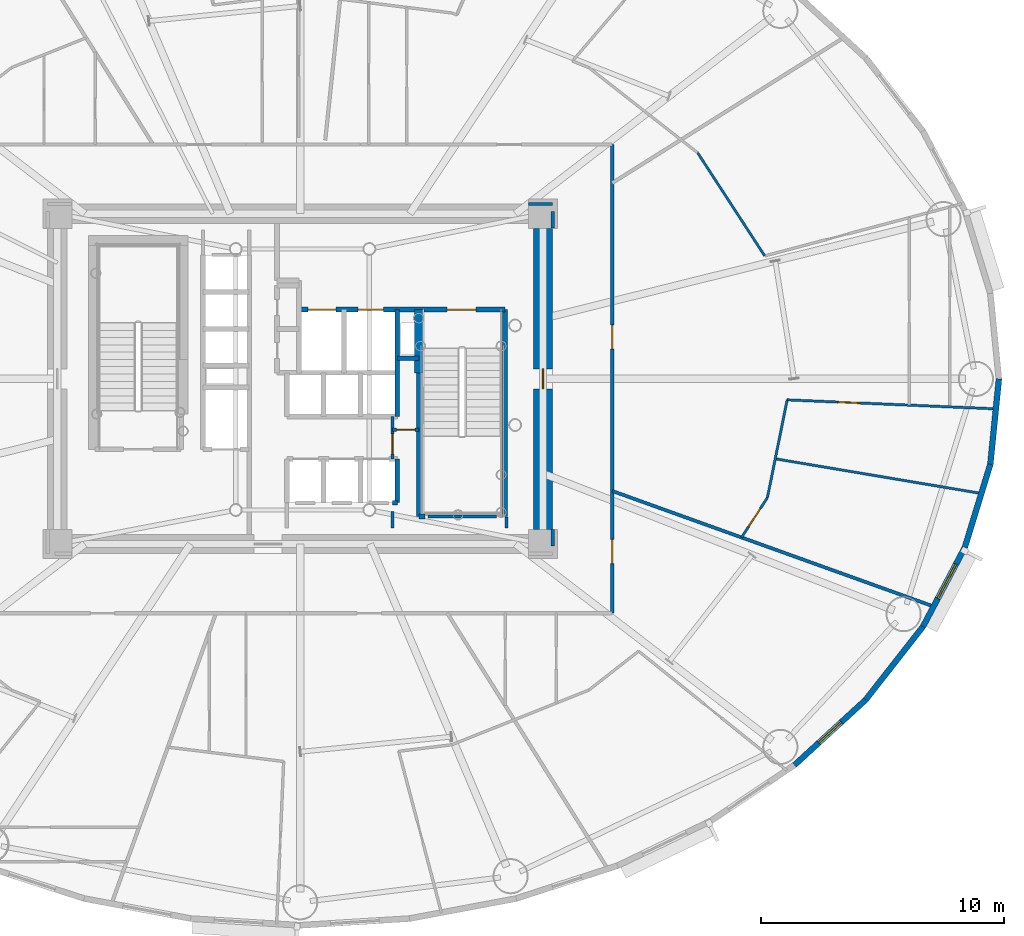
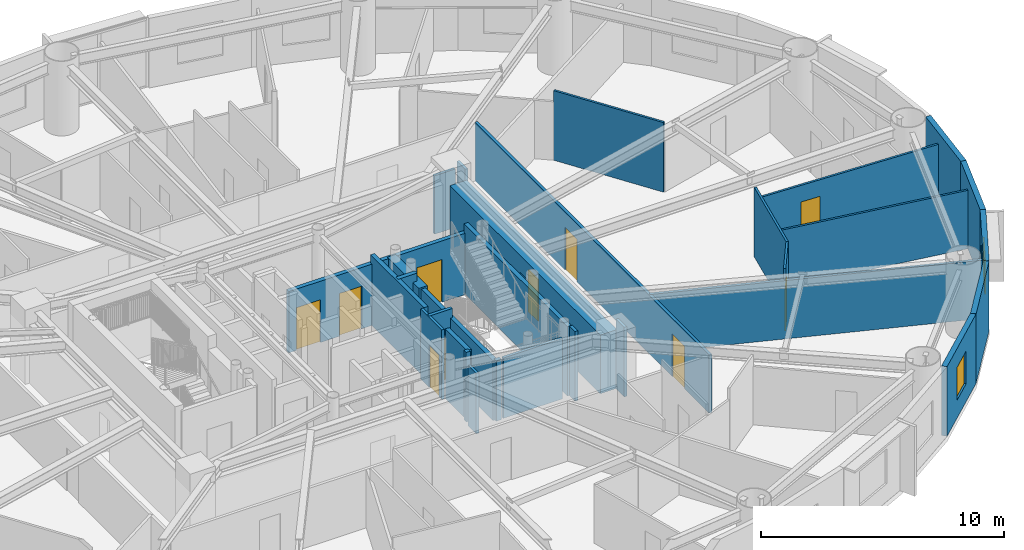
# One storey, part 13 of 21: 30 walls, 10 doors, 2 windows, 12 openings.
"""IFC4 building model written with IfcOpenShell, lengths in metres."""

from ifc_helpers import new_model, si_unit, direction, frame, frame_2d, origin, origin_2d, place, context, subcontext, project, spatial, rectangle, extrude, source, transform, mapped, material, layer, layer_set, type_object, element, fill, save


model = new_model("IFC4")

# Units and contexts
model_context = context("Model", 3, precision=1e-05, world=origin(), true_north=direction((0.0, 1.0)))
body_context = subcontext(model_context, "Body", "Model", "MODEL_VIEW")
ifc_project = project(units=[si_unit("LENGTHUNIT", "METRE"), si_unit("AREAUNIT", "SQUARE_METRE"), si_unit("VOLUMEUNIT", "CUBIC_METRE"), si_unit("PLANEANGLEUNIT", "RADIAN"), si_unit("MASSUNIT", "GRAM", prefix="KILO")], contexts=[model_context])

# Site, building, storey
site_placement = place(None, origin())
site = spatial("IfcSite", under=ifc_project, at=site_placement, CompositionType="ELEMENT")
building_placement = place(site_placement, origin())
building = spatial("IfcBuilding", under=site, at=building_placement, Name="Linh Dai School and Residence Tower", CompositionType="ELEMENT")
storey_placement = place(building_placement, frame((0.0, 0.0, 115.949951171875)))
storey = spatial("IfcBuildingStorey", under=building, at=storey_placement, Name="L27", CompositionType="ELEMENT", Elevation=115.949951171875)

# Wall, opening, window
ifc_material_1 = material(Name="Precast Concrete B45 (C35/45)", Category="concrete")
ifc_layer_1 = layer(ifc_material_1, 0.239990234375)
ifc_layer_set_1 = layer_set([ifc_layer_1], Name="Precast Concrete B45 (C35/45)")
wall_type_1 = type_object("IfcWallType", Name="EW-TC-240", PredefinedType="SOLIDWALL", material=ifc_layer_set_1)
wall_1_placement = place(storey_placement, frame((59.2890625, 13.783447265625, 0.0), z_axis=(0.0, 0.0, 1.0), x_axis=(-0.737113356241, -0.675769117414, 0.0)))
wall_1 = element("IfcWall", 1, at=wall_1_placement, inside=storey, type_object=wall_type_1, Name="L27 Terracotta Exterior Wall 36", PredefinedType="SOLIDWALL", context=body_context, shape_type="SweptSolid", body=[
    extrude(rectangle(XDim=3.975830078125, YDim=0.239990234375, at=frame_2d((1.98779296875, 0.0))), origin(), (0.0, 0.0, 1.0), 3.5),
])
opening_1_placement = place(wall_1_placement, frame((1.363037109375, 0.0, 0.89990234375)))
opening_1 = element("IfcOpeningElement", 2, at=opening_1_placement, cuts=wall_1, Name="Opening W3", PredefinedType="OPENING", context=body_context, shape_type="SweptSolid", body=[
    extrude(rectangle(XDim=1.25, YDim=1.64990234375, at=origin_2d()), frame((0.625, 0.1298828125, 0.824951171875), z_axis=(0.0, -1.0, 0.0), x_axis=(1.0, 0.0, 0.0)), (0.0, 0.0, 1.0), 0.260009765625),
])
ifc_material_2 = material(Name="Double Low-E Insulated Glazing", Category="glass")
window_type_1 = type_object("IfcWindowType", Name="WN-RES-1250x1650", PartitioningType="SINGLE_PANEL", PredefinedType="WINDOW", material=ifc_material_2)
shared_shape_1 = source(origin(), body_context, "Body", "SweptSolid", [
    extrude(rectangle(XDim=1.25, YDim=1.64990234375, at=origin_2d()), frame((0.625, 0.030029296875, 0.824951171875), z_axis=(0.0, -1.0, 0.0), x_axis=(1.0, 0.0, 0.0)), (0.0, 0.0, 1.0), 0.06005859375),
])
window_1_placement = place(opening_1_placement, origin())
window_1 = element("IfcWindow", 3, at=window_1_placement, inside=storey, type_object=window_type_1, Name="L27 Dwelling Window U2706-LIV", OverallHeight=1.64990234375, OverallWidth=1.25, PartitioningType="SINGLE_PANEL", PredefinedType="WINDOW", context=body_context, shape_type="MappedRepresentation", body=[
    mapped(shared_shape_1, transform((0.0, 0.0, 0.0), x_axis=(1.0, 0.0, 0.0), y_axis=(0.0, 1.0, 0.0), z_axis=(0.0, 0.0, 1.0), scale=1.0)),
])
fill(opening_1, window_1)

# Wall
wall_2_placement = place(storey_placement, frame((61.645263671875, 16.79443359375, 0.0), z_axis=(0.0, 0.0, 1.0), x_axis=(-0.616272103517, -0.787533297345, 0.0)))
element("IfcWall", 4, at=wall_2_placement, inside=storey, type_object=wall_type_1, Name="L27 Terracotta Exterior Wall 37", PredefinedType="SOLIDWALL", context=body_context, shape_type="SweptSolid", body=[
    extrude(rectangle(XDim=3.8232421875, YDim=0.239990234375, at=frame_2d((1.91162109375, 0.0))), origin(), (0.0, 0.0, 1.0), 3.5),
])

# Wall, opening, window
wall_3_placement = place(storey_placement, frame((63.3701171875, 20.054931640625, 0.0), z_axis=(0.0, 0.0, 1.0), x_axis=(-0.467614004126, -0.883932770716, 0.0)))
wall_3 = element("IfcWall", 5, at=wall_3_placement, inside=storey, type_object=wall_type_1, Name="L27 Terracotta Exterior Wall 38", PredefinedType="SOLIDWALL", context=body_context, shape_type="SweptSolid", body=[
    extrude(rectangle(XDim=3.688720703125, YDim=0.239990234375, at=frame_2d((1.84423828125, 0.0))), origin(), (0.0, 0.0, 1.0), 3.5),
])
opening_2_placement = place(wall_3_placement, frame((0.778076171875, 0.0, 0.89990234375)))
opening_2 = element("IfcOpeningElement", 6, at=opening_2_placement, cuts=wall_3, Name="Opening W2", PredefinedType="OPENING", context=body_context, shape_type="SweptSolid", body=[
    extrude(rectangle(XDim=1.60009765625, YDim=1.75, at=origin_2d()), frame((0.800048828125, 0.1298828125, 0.875), z_axis=(0.0, -1.0, 0.0), x_axis=(1.0, 0.0, 0.0)), (0.0, 0.0, 1.0), 0.260009765625),
])
window_type_2 = type_object("IfcWindowType", Name="WN-RES-1600x1750", PartitioningType="DOUBLE_PANEL_VERTICAL", PredefinedType="WINDOW", material=ifc_material_2)
shared_shape_2 = source(origin(), body_context, "Body", "SweptSolid", [
    extrude(rectangle(XDim=1.60009765625, YDim=1.75, at=origin_2d()), frame((0.800048828125, 0.030029296875, 0.875), z_axis=(0.0, -1.0, 0.0), x_axis=(1.0, 0.0, 0.0)), (0.0, 0.0, 1.0), 0.06005859375),
])
window_2_placement = place(opening_2_placement, origin())
window_2 = element("IfcWindow", 7, at=window_2_placement, inside=storey, type_object=window_type_2, Name="L27 Exterior Window 38.1", OverallHeight=1.75, OverallWidth=1.60009765625, PartitioningType="DOUBLE_PANEL_VERTICAL", PredefinedType="WINDOW", context=body_context, shape_type="MappedRepresentation", body=[
    mapped(shared_shape_2, transform((0.0, 0.0, 0.0), x_axis=(1.0, 0.0, 0.0), y_axis=(0.0, 1.0, 0.0), z_axis=(0.0, 0.0, 1.0), scale=1.0)),
])
fill(opening_2, window_2)

# Walls
wall_4_placement = place(storey_placement, frame((64.421630859375, 23.484619140625, 0.0), z_axis=(0.0, 0.0, 1.0), x_axis=(-0.293124431344, -0.956074300329, 0.0)))
element("IfcWall", 8, at=wall_4_placement, inside=storey, type_object=wall_type_1, Name="L27 Terracotta Exterior Wall 39", PredefinedType="SOLIDWALL", context=body_context, shape_type="SweptSolid", body=[
    extrude(rectangle(XDim=3.587158203125, YDim=0.239990234375, at=frame_2d((1.79345703125, 0.0))), origin(), (0.0, 0.0, 1.0), 3.5),
])
wall_5_placement = place(storey_placement, frame((64.77490234375, 27.0, 0.0), z_axis=(0.0, 0.0, 1.0), x_axis=(-0.099989468229, -0.994988495533, 0.0)))
element("IfcWall", 9, at=wall_5_placement, inside=storey, type_object=wall_type_1, Name="L27 Terracotta Exterior Wall 40", PredefinedType="SOLIDWALL", context=body_context, shape_type="SweptSolid", body=[
    extrude(rectangle(XDim=3.533203125, YDim=0.239990234375, at=frame_2d((1.7666015625, 0.0))), origin(), (0.0, 0.0, 1.0), 3.5),
])

# Wall, opening, door
ifc_material_3 = material(Name="Autoclaved Aerated Concrete Blockwork", Category="masonry")
ifc_layer_2 = layer(ifc_material_3, 0.135009765625)
ifc_layer_set_2 = layer_set([ifc_layer_2], Name="Autoclaved Aerated Concrete Blockwork")
wall_type_2 = type_object("IfcWallType", Name="IW-CORR-135-EI90", PredefinedType="PARTITIONING", material=ifc_layer_set_2)
wall_6_placement = place(storey_placement, frame((39.800048828125, 23.699951171875, 0.0), z_axis=(0.0, 0.0, 1.0), x_axis=(0.0, 1.0, 0.0)))
wall_6 = element("IfcWall", 10, at=wall_6_placement, inside=storey, type_object=wall_type_2, Name="L27 Interior Partition Wall 066", PredefinedType="PARTITIONING", context=body_context, shape_type="SweptSolid", body=[
    extrude(rectangle(XDim=1.75, YDim=0.135009765625, at=frame_2d((0.875, 0.0))), origin(), (0.0, 0.0, 1.0), 3.5),
])
opening_3_placement = place(wall_6_placement, frame((0.2099609375, 0.0, 0.0)))
opening_3 = element("IfcOpeningElement", 11, at=opening_3_placement, cuts=wall_6, Name="Opening D06", PredefinedType="OPENING", context=body_context, shape_type="SweptSolid", body=[
    extrude(rectangle(XDim=0.820068359375, YDim=2.10009765625, at=origin_2d()), frame((0.41015625, 0.07763671875, 1.050048828125), z_axis=(0.0, -1.0, 0.0), x_axis=(1.0, 0.0, 0.0)), (0.0, 0.0, 1.0), 0.155029296875),
])
ifc_material_4 = material(Name="Moisture-Resistant Timber Bathroom Door", Category="wood")
door_type_1 = type_object("IfcDoorType", Name="DR-WET-820x2100", OperationType="NOTDEFINED", PredefinedType="DOOR", material=ifc_material_4)
shared_shape_3 = source(origin(), body_context, "Body", "SweptSolid", [
    extrude(rectangle(XDim=0.820068359375, YDim=2.10009765625, at=origin_2d()), frame((0.41015625, 0.02490234375, 1.050048828125), z_axis=(0.0, -1.0, 0.0), x_axis=(1.0, 0.0, 0.0)), (0.0, 0.0, 1.0), 0.050048828125),
])
door_1_placement = place(opening_3_placement, origin())
door_1 = element("IfcDoor", 12, at=door_1_placement, inside=storey, type_object=door_type_1, Name="L27 SE Metering Closet Door", OperationType="SINGLE_SWING_RIGHT", OverallHeight=2.10009765625, OverallWidth=0.820068359375, PredefinedType="DOOR", context=body_context, shape_type="MappedRepresentation", body=[
    mapped(shared_shape_3, transform((0.0, 0.0, 0.0), x_axis=(1.0, 0.0, 0.0), y_axis=(0.0, 1.0, 0.0), z_axis=(0.0, 0.0, 1.0), scale=1.0)),
])
fill(opening_3, door_1)

# Wall, openings, doors
wall_7_placement = place(storey_placement, frame((48.85009765625, 17.35009765625, 0.0), z_axis=(0.0, 0.0, 1.0), x_axis=(0.0, 1.0, 0.0)))
wall_7 = element("IfcWall", 13, at=wall_7_placement, inside=storey, type_object=wall_type_2, Name="L27 Interior Partition Wall 087", PredefinedType="PARTITIONING", context=body_context, shape_type="SweptSolid", body=[
    extrude(rectangle(XDim=19.2998046875, YDim=0.135009765625, at=frame_2d((9.64990234375, 0.0))), origin(), (0.0, 0.0, 1.0), 2.93505859375),
])
opening_4_placement = place(wall_7_placement, frame((2.036376953125, 0.0, 0.0)))
opening_4 = element("IfcOpeningElement", 14, at=opening_4_placement, cuts=wall_7, Name="Opening D03", PredefinedType="OPENING", context=body_context, shape_type="SweptSolid", body=[
    extrude(rectangle(XDim=1.0, YDim=2.14990234375, at=origin_2d()), frame((0.5, 0.07763671875, 1.074951171875), z_axis=(0.0, -1.0, 0.0), x_axis=(1.0, 0.0, 0.0)), (0.0, 0.0, 1.0), 0.155029296875),
])
opening_5_placement = place(wall_7_placement, frame((10.87451171875, 0.0, 0.0)))
opening_5 = element("IfcOpeningElement", 15, at=opening_5_placement, cuts=wall_7, Name="Opening D03", PredefinedType="OPENING", context=body_context, shape_type="SweptSolid", body=[
    extrude(rectangle(XDim=1.0, YDim=2.14990234375, at=origin_2d()), frame((0.5, 0.07763671875, 1.074951171875), z_axis=(0.0, -1.0, 0.0), x_axis=(1.0, 0.0, 0.0)), (0.0, 0.0, 1.0), 0.155029296875),
])
ifc_material_5 = material(Name="Fire-Rated Solid Timber Entrance Door", Category="wood")
door_type_2 = type_object("IfcDoorType", Name="DR-FLAT-1000x2150-FD60S", OperationType="NOTDEFINED", PredefinedType="DOOR", material=ifc_material_5)
shared_shape_4 = source(origin(), body_context, "Body", "SweptSolid", [
    extrude(rectangle(XDim=1.0, YDim=2.14990234375, at=origin_2d()), frame((0.5, 0.02490234375, 1.074951171875), z_axis=(0.0, -1.0, 0.0), x_axis=(1.0, 0.0, 0.0)), (0.0, 0.0, 1.0), 0.050048828125),
])
door_2_placement = place(opening_4_placement, origin())
door_2 = element("IfcDoor", 16, at=door_2_placement, inside=storey, type_object=door_type_2, Name="L27 U2706 Apartment Entrance Door", OperationType="SINGLE_SWING_LEFT", OverallHeight=2.14990234375, OverallWidth=1.0, PredefinedType="DOOR", context=body_context, shape_type="MappedRepresentation", body=[
    mapped(shared_shape_4, transform((0.0, 0.0, 0.0), x_axis=(1.0, 0.0, 0.0), y_axis=(0.0, 1.0, 0.0), z_axis=(0.0, 0.0, 1.0), scale=1.0)),
])
fill(opening_4, door_2)
door_3_placement = place(opening_5_placement, origin())
door_3 = element("IfcDoor", 17, at=door_3_placement, inside=storey, type_object=door_type_2, Name="L27 U2707 Apartment Entrance Door", OperationType="SINGLE_SWING_LEFT", OverallHeight=2.14990234375, OverallWidth=1.0, PredefinedType="DOOR", context=body_context, shape_type="MappedRepresentation", body=[
    mapped(shared_shape_4, transform((0.0, 0.0, 0.0), x_axis=(1.0, 0.0, 0.0), y_axis=(0.0, 1.0, 0.0), z_axis=(0.0, 0.0, 1.0), scale=1.0)),
])
fill(opening_5, door_3)

# Walls
wall_8_placement = place(storey_placement, frame((48.85009765625, 22.382568359375, 0.0), z_axis=(0.0, 0.0, 1.0), x_axis=(0.941089213164, -0.338158384292, 0.0)))
element("IfcWall", 18, at=wall_8_placement, inside=storey, type_object=wall_type_2, Name="L27 Interior Partition Wall 088", PredefinedType="PARTITIONING", context=body_context, shape_type="SweptSolid", body=[
    extrude(rectangle(XDim=14.069091796875, YDim=0.135009765625, at=frame_2d((7.03466796875, 0.0))), origin(), (0.0, 0.0, 1.0), 2.93505859375),
])
wall_9_placement = place(storey_placement, frame((44.080078125, 21.330078125, 0.0), z_axis=(0.0, 0.0, 1.0), x_axis=(-1.0, 0.0, 0.0)))
element("IfcWall", 19, at=wall_9_placement, inside=storey, type_object=wall_type_2, Name="L27 Interior Partition Wall 099", PredefinedType="PARTITIONING", context=body_context, shape_type="SweptSolid", body=[
    extrude(rectangle(XDim=2.820068359375, YDim=0.135009765625, at=frame_2d((1.41015625, 0.0))), origin(), (0.0, 0.0, 1.0), 3.03515625),
])
wall_10_placement = place(storey_placement, frame((39.800048828125, 20.860107421875, 0.0), z_axis=(0.0, 0.0, 1.0), x_axis=(0.0, 1.0, 0.0)))
element("IfcWall", 20, at=wall_10_placement, inside=storey, type_object=wall_type_2, Name="L27 Interior Partition Wall 104", PredefinedType="PARTITIONING", context=body_context, shape_type="SweptSolid", body=[
    extrude(rectangle(XDim=0.679931640625, YDim=0.135009765625, at=frame_2d((0.33984375, 0.0))), origin(), (0.0, 0.0, 1.0), 3.03515625),
])
wall_11_placement = place(storey_placement, frame((44.5, 20.860107421875, 0.0), z_axis=(0.0, 0.0, 1.0), x_axis=(0.0, 1.0, 0.0)))
element("IfcWall", 21, at=wall_11_placement, inside=storey, type_object=wall_type_2, Name="L27 Interior Partition Wall 106", PredefinedType="PARTITIONING", context=body_context, shape_type="SweptSolid", body=[
    extrude(rectangle(XDim=0.4599609375, YDim=0.135009765625, at=frame_2d((0.22998046875, 0.0))), origin(), (0.0, 0.0, 1.0), 3.5),
])
wall_12_placement = place(storey_placement, frame((46.39990234375, 34.199951171875, 0.0), z_axis=(0.0, 0.0, 1.0), x_axis=(-1.0, 0.0, 0.0)))
element("IfcWall", 22, at=wall_12_placement, inside=storey, type_object=wall_type_2, Name="L27 Interior Partition Wall 111", PredefinedType="PARTITIONING", context=body_context, shape_type="SweptSolid", body=[
    extrude(rectangle(XDim=0.989990234375, YDim=0.135009765625, at=frame_2d((0.4951171875, 0.0))), origin(), (0.0, 0.0, 1.0), 2.93505859375),
])
for number, where, z_axis, x_axis, name in (
    (23, (46.39990234375, 20.107421875, 0.0), (0.0, 0.0, 1.0), (0.0, 1.0, 0.0), "L27 Interior Partition Wall 117"),
    (24, (46.39990234375, 33.2099609375, 0.0), (0.0, 0.0, 1.0), (0.0, 1.0, 0.0), "L27 Interior Partition Wall 118"),
):
    element("IfcWall", number, at=place(storey_placement, frame(where, z_axis=z_axis, x_axis=x_axis)), inside=storey, type_object=wall_type_2, Name=name, PredefinedType="PARTITIONING", context=body_context, shape_type="SweptSolid", body=[
        extrude(rectangle(XDim=0.6826171875, YDim=0.135009765625, at=frame_2d((0.34130859375, 0.0))), origin(), (0.0, 0.0, 1.0), 3.5),
    ])

# Wall, opening, door
ifc_layer_3 = layer(ifc_material_3, 0.14990234375)
ifc_layer_set_3 = layer_set([ifc_layer_3], Name="Autoclaved Aerated Concrete Blockwork")
wall_type_3 = type_object("IfcWallType", Name="IW-SCH-150-EI60", PredefinedType="PARTITIONING", material=ifc_layer_set_3)
wall_13_placement = place(storey_placement, frame((39.800048828125, 24.89990234375, 0.0), z_axis=(0.0, 0.0, 1.0), x_axis=(1.0, 0.0, 0.0)))
wall_13 = element("IfcWall", 25, at=wall_13_placement, inside=storey, type_object=wall_type_3, Name="L27 Interior Partition Wall 067", PredefinedType="PARTITIONING", context=body_context, shape_type="SweptSolid", body=[
    extrude(rectangle(XDim=1.099853515625, YDim=0.14990234375, at=frame_2d((0.5498046875, 0.0))), origin(), (0.0, 0.0, 1.0), 3.5),
])
opening_6_placement = place(wall_13_placement, frame((0.169921875, 0.0, 0.0)))
opening_6 = element("IfcOpeningElement", 26, at=opening_6_placement, cuts=wall_13, Name="Opening D08", PredefinedType="OPENING", context=body_context, shape_type="SweptSolid", body=[
    extrude(rectangle(XDim=0.760009765625, YDim=2.10009765625, at=origin_2d()), frame((0.3798828125, 0.0849609375, 1.050048828125), z_axis=(0.0, -1.0, 0.0), x_axis=(1.0, 0.0, 0.0)), (0.0, 0.0, 1.0), 0.169921875),
])
ifc_material_6 = material(Name="Engineered Timber Closet and Study Door", Category="wood")
door_type_3 = type_object("IfcDoorType", Name="DR-CMP-760x2100", OperationType="NOTDEFINED", PredefinedType="DOOR", material=ifc_material_6)
shared_shape_5 = source(origin(), body_context, "Body", "SweptSolid", [
    extrude(rectangle(XDim=0.760009765625, YDim=2.10009765625, at=origin_2d()), frame((0.3798828125, 0.02490234375, 1.050048828125), z_axis=(0.0, -1.0, 0.0), x_axis=(1.0, 0.0, 0.0)), (0.0, 0.0, 1.0), 0.050048828125),
])
door_4_placement = place(opening_6_placement, origin())
door_4 = element("IfcDoor", 27, at=door_4_placement, inside=storey, type_object=door_type_3, Name="L27 NE Cleaners Store Door", OperationType="SINGLE_SWING_LEFT", OverallHeight=2.10009765625, OverallWidth=0.760009765625, PredefinedType="DOOR", context=body_context, shape_type="MappedRepresentation", body=[
    mapped(shared_shape_5, transform((0.0, 0.0, 0.0), x_axis=(1.0, 0.0, 0.0), y_axis=(0.0, 1.0, 0.0), z_axis=(0.0, 0.0, 1.0), scale=1.0)),
])
fill(opening_6, door_4)

# Wall, openings, doors
ifc_material_7 = material(Name="Concrete B45 (C35/45)", Category="concrete")
ifc_layer_4 = layer(ifc_material_7, 0.199951171875)
ifc_layer_set_4 = layer_set([ifc_layer_4], Name="Concrete B45 (C35/45)")
wall_type_4 = type_object("IfcWallType", Name="IW-SHAFT-200-EI120", PredefinedType="PARTITIONING", material=ifc_layer_set_4)
wall_14_placement = place(storey_placement, frame((35.949951171875, 29.85009765625, 0.0), z_axis=(0.0, 0.0, 1.0), x_axis=(1.0, 0.0, 0.0)))
wall_14 = element("IfcWall", 28, at=wall_14_placement, inside=storey, type_object=wall_type_4, Name="L27 Interior Partition Wall 055", PredefinedType="PARTITIONING", context=body_context, shape_type="SweptSolid", body=[
    extrude(rectangle(XDim=8.489990234375, YDim=0.199951171875, at=frame_2d((4.2451171875, 0.0))), origin(), (0.0, 0.0, 1.0), 3.0849609375),
])
opening_7_placement = place(wall_14_placement, frame((6.10009765625, 0.0, 0.0)))
opening_7 = element("IfcOpeningElement", 29, at=opening_7_placement, cuts=wall_14, Name="Opening D01", PredefinedType="OPENING", context=body_context, shape_type="SweptSolid", body=[
    extrude(rectangle(XDim=1.199951171875, YDim=2.14990234375, at=origin_2d()), frame((0.60009765625, 0.10986328125, 1.074951171875), z_axis=(0.0, -1.0, 0.0), x_axis=(1.0, 0.0, 0.0)), (0.0, 0.0, 1.0), 0.219970703125),
])
opening_8_placement = place(wall_14_placement, frame((0.3701171875, 0.0, 0.0)))
opening_8 = element("IfcOpeningElement", 30, at=opening_8_placement, cuts=wall_14, Name="Opening LD-FF1", PredefinedType="OPENING", context=body_context, shape_type="SweptSolid", body=[
    extrude(rectangle(XDim=1.14990234375, YDim=2.14990234375, at=origin_2d()), frame((0.574951171875, 0.10986328125, 1.074951171875), z_axis=(0.0, -1.0, 0.0), x_axis=(1.0, 0.0, 0.0)), (0.0, 0.0, 1.0), 0.219970703125),
])
opening_9_placement = place(wall_14_placement, frame((2.425048828125, 0.0, 0.0)))
opening_9 = element("IfcOpeningElement", 31, at=opening_9_placement, cuts=wall_14, Name="Opening LD-SV1", PredefinedType="OPENING", context=body_context, shape_type="SweptSolid", body=[
    extrude(rectangle(XDim=1.050048828125, YDim=2.14990234375, at=origin_2d()), frame((0.52490234375, 0.10986328125, 1.074951171875), z_axis=(0.0, -1.0, 0.0), x_axis=(1.0, 0.0, 0.0)), (0.0, 0.0, 1.0), 0.219970703125),
])
ifc_material_8 = material(Name="Fire-Rated Steel Door Leaf", Category="steel")
door_type_4 = type_object("IfcDoorType", Name="DR-STAIR-1200x2150-FD90S", OperationType="NOTDEFINED", PredefinedType="DOOR", material=ifc_material_8)
shared_shape_6 = source(origin(), body_context, "Body", "SweptSolid", [
    extrude(rectangle(XDim=1.199951171875, YDim=2.14990234375, at=origin_2d()), frame((0.60009765625, 0.02490234375, 1.074951171875), z_axis=(0.0, -1.0, 0.0), x_axis=(1.0, 0.0, 0.0)), (0.0, 0.0, 1.0), 0.050048828125),
])
door_5_placement = place(opening_7_placement, origin())
door_5 = element("IfcDoor", 32, at=door_5_placement, inside=storey, type_object=door_type_4, Name="L27 Core Smokeproof Exit Stair ST2 Door", OperationType="SINGLE_SWING_LEFT", OverallHeight=2.14990234375, OverallWidth=1.199951171875, PredefinedType="DOOR", context=body_context, shape_type="MappedRepresentation", body=[
    mapped(shared_shape_6, transform((0.0, 0.0, 0.0), x_axis=(1.0, 0.0, 0.0), y_axis=(0.0, 1.0, 0.0), z_axis=(0.0, 0.0, 1.0), scale=1.0)),
])
fill(opening_7, door_5)
ifc_material_9 = material(Name="Fire-Rated Stainless Steel Firefighting Lift Door", Category="steel")
door_type_5 = type_object("IfcDoorType", Name="DR-LD-FF-1150x2150-FD120", OperationType="DOUBLE_DOOR_SLIDING", PredefinedType="USERDEFINED", material=ifc_material_9)
shared_shape_7 = source(origin(), body_context, "Body", "SweptSolid", [
    extrude(rectangle(XDim=1.14990234375, YDim=2.14990234375, at=origin_2d()), frame((0.574951171875, 0.02490234375, 1.074951171875), z_axis=(0.0, -1.0, 0.0), x_axis=(1.0, 0.0, 0.0)), (0.0, 0.0, 1.0), 0.050048828125),
])
door_6_placement = place(opening_8_placement, origin())
door_6 = element("IfcDoor", 33, at=door_6_placement, inside=storey, type_object=door_type_5, Name="L27 Lift FF1 Sliding Landing Door", ObjectType="LANDING DOOR", OperationType="DOUBLE_DOOR_SLIDING", OverallHeight=2.14990234375, OverallWidth=1.14990234375, PredefinedType="USERDEFINED", context=body_context, shape_type="MappedRepresentation", body=[
    mapped(shared_shape_7, transform((0.0, 0.0, 0.0), x_axis=(1.0, 0.0, 0.0), y_axis=(0.0, 1.0, 0.0), z_axis=(0.0, 0.0, 1.0), scale=1.0)),
])
fill(opening_8, door_6)
ifc_material_10 = material(Name="Brushed Stainless Steel Lift Landing Door", Category="steel")
door_type_6 = type_object("IfcDoorType", Name="DR-LD-PASS-1050x2150", OperationType="DOUBLE_DOOR_SLIDING", PredefinedType="USERDEFINED", material=ifc_material_10)
shared_shape_8 = source(origin(), body_context, "Body", "SweptSolid", [
    extrude(rectangle(XDim=1.050048828125, YDim=2.14990234375, at=origin_2d()), frame((0.52490234375, 0.02490234375, 1.074951171875), z_axis=(0.0, -1.0, 0.0), x_axis=(1.0, 0.0, 0.0)), (0.0, 0.0, 1.0), 0.050048828125),
])
door_7_placement = place(opening_9_placement, origin())
door_7 = element("IfcDoor", 34, at=door_7_placement, inside=storey, type_object=door_type_6, Name="L27 Lift SV1 Sliding Landing Door", ObjectType="LANDING DOOR", OperationType="DOUBLE_DOOR_SLIDING", OverallHeight=2.14990234375, OverallWidth=1.050048828125, PredefinedType="USERDEFINED", context=body_context, shape_type="MappedRepresentation", body=[
    mapped(shared_shape_8, transform((0.0, 0.0, 0.0), x_axis=(1.0, 0.0, 0.0), y_axis=(0.0, 1.0, 0.0), z_axis=(0.0, 0.0, 1.0), scale=1.0)),
])
fill(opening_9, door_7)

# Walls
wall_15_placement = place(storey_placement, frame((39.800048828125, 21.89990234375, 0.0), z_axis=(0.0, 0.0, 1.0), x_axis=(1.0, 0.0, 0.0)))
element("IfcWall", 35, at=wall_15_placement, inside=storey, type_object=wall_type_4, Name="L27 Interior Partition Wall 065", PredefinedType="PARTITIONING", context=body_context, shape_type="SweptSolid", body=[
    extrude(rectangle(XDim=0.199951171875, YDim=0.199951171875, at=frame_2d((0.10009765625, 0.0))), origin(), (0.0, 0.0, 1.0), 3.5),
])
wall_16_placement = place(storey_placement, frame((40.0, 21.89990234375, 0.0), z_axis=(0.0, 0.0, 1.0), x_axis=(0.0, 1.0, 0.0)))
element("IfcWall", 36, at=wall_16_placement, inside=storey, type_object=wall_type_4, Name="L27 Interior Partition Wall 068", PredefinedType="PARTITIONING", context=body_context, shape_type="SweptSolid", body=[
    extrude(rectangle(XDim=1.800048828125, YDim=0.199951171875, at=frame_2d((0.89990234375, 0.0))), origin(), (0.0, 0.0, 1.0), 3.5),
])
wall_17_placement = place(storey_placement, frame((40.0, 25.449951171875, 0.0), z_axis=(0.0, 0.0, 1.0), x_axis=(0.0, 1.0, 0.0)))
element("IfcWall", 37, at=wall_17_placement, inside=storey, type_object=wall_type_4, Name="L27 Interior Partition Wall 069", PredefinedType="PARTITIONING", context=body_context, shape_type="SweptSolid", body=[
    extrude(rectangle(XDim=4.400146484375, YDim=0.199951171875, at=frame_2d((2.2001953125, 0.0))), origin(), (0.0, 0.0, 1.0), 3.5),
])
wall_18_placement = place(storey_placement, frame((40.0, 27.85009765625, 0.0), z_axis=(0.0, 0.0, 1.0), x_axis=(1.0, 0.0, 0.0)))
element("IfcWall", 38, at=wall_18_placement, inside=storey, type_object=wall_type_4, Name="L27 Interior Partition Wall 070", PredefinedType="PARTITIONING", context=body_context, shape_type="SweptSolid", body=[
    extrude(rectangle(XDim=0.89990234375, YDim=0.199951171875, at=frame_2d((0.449951171875, 0.0))), origin(), (0.0, 0.0, 1.0), 3.5),
])
wall_19_placement = place(storey_placement, frame((40.89990234375, 21.330078125, 0.0), z_axis=(0.0, 0.0, 1.0), x_axis=(0.0, 1.0, 0.0)))
element("IfcWall", 39, at=wall_19_placement, inside=storey, type_object=wall_type_4, Name="L27 Interior Partition Wall 074", PredefinedType="PARTITIONING", context=body_context, shape_type="SweptSolid", body=[
    extrude(rectangle(XDim=5.909912109375, YDim=0.199951171875, at=frame_2d((2.955078125, 0.0))), origin(), (0.0, 0.0, 1.0), 3.03515625),
])
wall_20_placement = place(storey_placement, frame((40.89990234375, 21.330078125, 0.0), z_axis=(0.0, 0.0, 1.0), x_axis=(1.0, 0.0, 0.0)))
element("IfcWall", 40, at=wall_20_placement, inside=storey, type_object=wall_type_4, Name="L27 Interior Partition Wall 075", PredefinedType="PARTITIONING", context=body_context, shape_type="SweptSolid", body=[
    extrude(rectangle(XDim=0.25, YDim=0.199951171875, at=frame_2d((0.125, 0.0))), origin(), (0.0, 0.0, 1.0), 3.03515625),
])
wall_21_placement = place(storey_placement, frame((44.43994140625, 21.330078125, 0.0), z_axis=(0.0, 0.0, 1.0), x_axis=(0.0, 1.0, 0.0)))
element("IfcWall", 41, at=wall_21_placement, inside=storey, type_object=wall_type_4, Name="L27 Interior Partition Wall 080", PredefinedType="PARTITIONING", context=body_context, shape_type="SweptSolid", body=[
    extrude(rectangle(XDim=8.52001953125, YDim=0.199951171875, at=frame_2d((4.260009765625, 0.0))), origin(), (0.0, 0.0, 1.0), 3.5),
])
ifc_material_11 = material(Name="Gypsum Plasterboard Acoustic Stud Partition", Category="masonry")
ifc_layer_5 = layer(ifc_material_11, 0.10009765625)
ifc_layer_set_5 = layer_set([ifc_layer_5], Name="Gypsum Plasterboard Acoustic Stud Partition")
wall_type_5 = type_object("IfcWallType", Name="IW-UNIT-100", PredefinedType="PARTITIONING", material=ifc_layer_set_5)
wall_22_placement = place(storey_placement, frame((52.366455078125, 36.31103515625, 0.0), z_axis=(0.0, 0.0, 1.0), x_axis=(0.545394651961, -0.838179380331, 0.0)))
element("IfcWall", 42, at=wall_22_placement, inside=storey, type_object=wall_type_5, Name="L27 Interior Partition Wall 091", PredefinedType="PARTITIONING", context=body_context, shape_type="SweptSolid", body=[
    extrude(rectangle(XDim=5.068115234375, YDim=0.10009765625, at=frame_2d((2.5341796875, 0.0))), origin(), (0.0, 0.0, 1.0), 3.5),
])

# Wall, opening, door
wall_23_placement = place(storey_placement, frame((54.175537109375, 20.468994140625, 0.0), z_axis=(0.0, 0.0, 1.0), x_axis=(0.545370803514, 0.838194897786, 0.0)))
wall_23 = element("IfcWall", 43, at=wall_23_placement, inside=storey, type_object=wall_type_5, Name="L27 Interior Partition Wall 092", PredefinedType="PARTITIONING", context=body_context, shape_type="SweptSolid", body=[
    extrude(rectangle(XDim=1.951904296875, YDim=0.10009765625, at=frame_2d((0.97607421875, 0.0))), origin(), (0.0, 0.0, 1.0), 3.5),
])
opening_10_placement = place(wall_23_placement, frame((0.52587890625, 0.0, 0.0)))
opening_10 = element("IfcOpeningElement", 44, at=opening_10_placement, cuts=wall_23, Name="Opening D05", PredefinedType="OPENING", context=body_context, shape_type="SweptSolid", body=[
    extrude(rectangle(XDim=0.89990234375, YDim=2.10009765625, at=origin_2d()), frame((0.449951171875, 0.06005859375, 1.050048828125), z_axis=(0.0, -1.0, 0.0), x_axis=(1.0, 0.0, 0.0)), (0.0, 0.0, 1.0), 0.1201171875),
])
ifc_material_12 = material(Name="Engineered Timber Internal Door", Category="wood")
door_type_7 = type_object("IfcDoorType", Name="DR-INT-900x2100", OperationType="NOTDEFINED", PredefinedType="DOOR", material=ifc_material_12)
shared_shape_9 = source(origin(), body_context, "Body", "SweptSolid", [
    extrude(rectangle(XDim=0.89990234375, YDim=2.10009765625, at=origin_2d()), frame((0.449951171875, 0.02490234375, 1.050048828125), z_axis=(0.0, -1.0, 0.0), x_axis=(1.0, 0.0, 0.0)), (0.0, 0.0, 1.0), 0.050048828125),
])
door_8_placement = place(opening_10_placement, origin())
door_8 = element("IfcDoor", 45, at=door_8_placement, inside=storey, type_object=door_type_7, Name="L27 Apartment U2707 Principal Bedroom 1 Door", OperationType="SINGLE_SWING_RIGHT", OverallHeight=2.10009765625, OverallWidth=0.89990234375, PredefinedType="DOOR", context=body_context, shape_type="MappedRepresentation", body=[
    mapped(shared_shape_9, transform((0.0, 0.0, 0.0), x_axis=(1.0, 0.0, 0.0), y_axis=(0.0, 1.0, 0.0), z_axis=(0.0, 0.0, 1.0), scale=1.0)),
])
fill(opening_10, door_8)

# Walls
wall_24_placement = place(storey_placement, frame((55.239990234375, 22.10498046875, 0.0), z_axis=(0.0, 0.0, 1.0), x_axis=(0.198205355444, 0.980160515973, 0.0)))
element("IfcWall", 46, at=wall_24_placement, inside=storey, type_object=wall_type_5, Name="L27 Interior Partition Wall 094", PredefinedType="PARTITIONING", context=body_context, shape_type="SweptSolid", body=[
    extrude(rectangle(XDim=4.111572265625, YDim=0.10009765625, at=frame_2d((2.0556640625, 0.0))), origin(), (0.0, 0.0, 1.0), 3.5),
])
wall_25_placement = place(storey_placement, frame((55.564208984375, 23.7080078125, 0.0), z_axis=(0.0, 0.0, 1.0), x_axis=(0.986139151265, -0.165920385556, 0.0)))
element("IfcWall", 47, at=wall_25_placement, inside=storey, type_object=wall_type_5, Name="L27 Interior Partition Wall 095", PredefinedType="PARTITIONING", context=body_context, shape_type="SweptSolid", body=[
    extrude(rectangle(XDim=8.6123046875, YDim=0.10009765625, at=frame_2d((4.30615234375, 0.0))), origin(), (0.0, 0.0, 1.0), 2.93505859375),
])

# Wall, opening, door
wall_26_placement = place(storey_placement, frame((56.054931640625, 26.134765625, 0.0), z_axis=(0.0, 0.0, 1.0), x_axis=(0.999070497197, -0.043106166957, 0.0)))
wall_26 = element("IfcWall", 48, at=wall_26_placement, inside=storey, type_object=wall_type_5, Name="L27 Interior Partition Wall 096", PredefinedType="PARTITIONING", context=body_context, shape_type="SweptSolid", body=[
    extrude(rectangle(XDim=8.60888671875, YDim=0.10009765625, at=frame_2d((4.304443359375, 0.0))), origin(), (0.0, 0.0, 1.0), 2.93505859375),
])
opening_11_placement = place(wall_26_placement, frame((2.087646484375, 0.0, 0.0)))
opening_11 = element("IfcOpeningElement", 49, at=opening_11_placement, cuts=wall_26, Name="Opening D05", PredefinedType="OPENING", context=body_context, shape_type="SweptSolid", body=[
    extrude(rectangle(XDim=0.89990234375, YDim=2.10009765625, at=origin_2d()), frame((0.449951171875, 0.06005859375, 1.050048828125), z_axis=(0.0, -1.0, 0.0), x_axis=(1.0, 0.0, 0.0)), (0.0, 0.0, 1.0), 0.1201171875),
])
door_9_placement = place(opening_11_placement, origin())
door_9 = element("IfcDoor", 50, at=door_9_placement, inside=storey, type_object=door_type_7, Name="L27 Apartment U2707 Study Door", OperationType="SINGLE_SWING_LEFT", OverallHeight=2.10009765625, OverallWidth=0.89990234375, PredefinedType="DOOR", context=body_context, shape_type="MappedRepresentation", body=[
    mapped(shared_shape_9, transform((0.0, 0.0, 0.0), x_axis=(1.0, 0.0, 0.0), y_axis=(0.0, 1.0, 0.0), z_axis=(0.0, 0.0, 1.0), scale=1.0)),
])
fill(opening_11, door_9)

# Wall
ifc_layer_6 = layer(ifc_material_7, 0.39990234375)
ifc_layer_set_6 = layer_set([ifc_layer_6], Name="Concrete B45 (C35/45)")
wall_type_6 = type_object("IfcWallType", Name="WL-CORE400", PredefinedType="SHEAR", material=ifc_layer_set_6)
wall_27_placement = place(storey_placement, frame((40.89990234375, 27.25, 0.0), z_axis=(0.0, 0.0, 1.0), x_axis=(0.0, 1.0, 0.0)))
element("IfcWall", 51, at=wall_27_placement, inside=storey, type_object=wall_type_6, Name="L27 Internal Core Shear Wall IE", PredefinedType="SHEAR", context=body_context, shape_type="SweptSolid", body=[
    extrude(rectangle(XDim=2.60009765625, YDim=0.39990234375, at=frame_2d((1.300048828125, 0.0))), origin(), (0.0, 0.0, 1.0), 3.10009765625),
])

# Wall, opening, door
ifc_material_13 = material(Name="Concrete B60 (C50/60)", Category="concrete")
ifc_layer_7 = layer(ifc_material_13, 0.800048828125)
ifc_layer_set_7 = layer_set([ifc_layer_7], Name="Concrete B60 (C50/60)")
wall_type_7 = type_object("IfcWallType", Name="WL-CORE800", PredefinedType="SHEAR", material=ifc_layer_set_7)
wall_28_placement = place(storey_placement, frame((46.0, 33.199951171875, 0.0), z_axis=(0.0, 0.0, 1.0), x_axis=(0.0, -1.0, 0.0)))
wall_28 = element("IfcWall", 52, at=wall_28_placement, inside=storey, type_object=wall_type_7, Name="L27 Central Core Shear Wall E", PredefinedType="SHEAR", context=body_context, shape_type="SweptSolid", body=[
    extrude(rectangle(XDim=12.39990234375, YDim=0.800048828125, at=frame_2d((6.199951171875, 0.0))), origin(), (0.0, 0.0, 1.0), 2.949951171875),
])
opening_12_placement = place(wall_28_placement, frame((5.7900390625, 0.0, 0.0)))
opening_12 = element("IfcOpeningElement", 53, at=opening_12_placement, cuts=wall_28, Name="Opening D06", PredefinedType="OPENING", context=body_context, shape_type="SweptSolid", body=[
    extrude(rectangle(XDim=0.820068359375, YDim=2.10009765625, at=origin_2d()), frame((0.41015625, 0.41015625, 1.050048828125), z_axis=(0.0, -1.0, 0.0), x_axis=(1.0, 0.0, 0.0)), (0.0, 0.0, 1.0), 0.820068359375),
])
door_10_placement = place(opening_12_placement, origin())
door_10 = element("IfcDoor", 54, at=door_10_placement, inside=storey, type_object=door_type_1, Name="L27 Firefighting Lobby Door", OperationType="SINGLE_SWING_RIGHT", OverallHeight=2.10009765625, OverallWidth=0.820068359375, PredefinedType="DOOR", context=body_context, shape_type="MappedRepresentation", body=[
    mapped(shared_shape_3, transform((0.0, 0.0, 0.0), x_axis=(1.0, 0.0, 0.0), y_axis=(0.0, 1.0, 0.0), z_axis=(0.0, 0.0, 1.0), scale=1.0)),
])
fill(opening_12, door_10)

save(model, "model.ifc")
